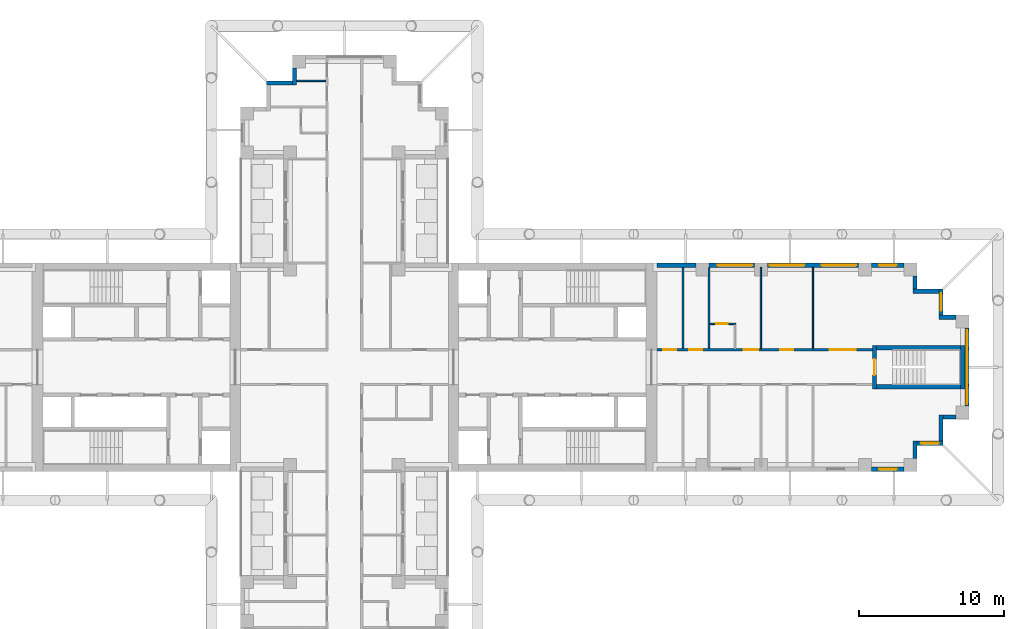
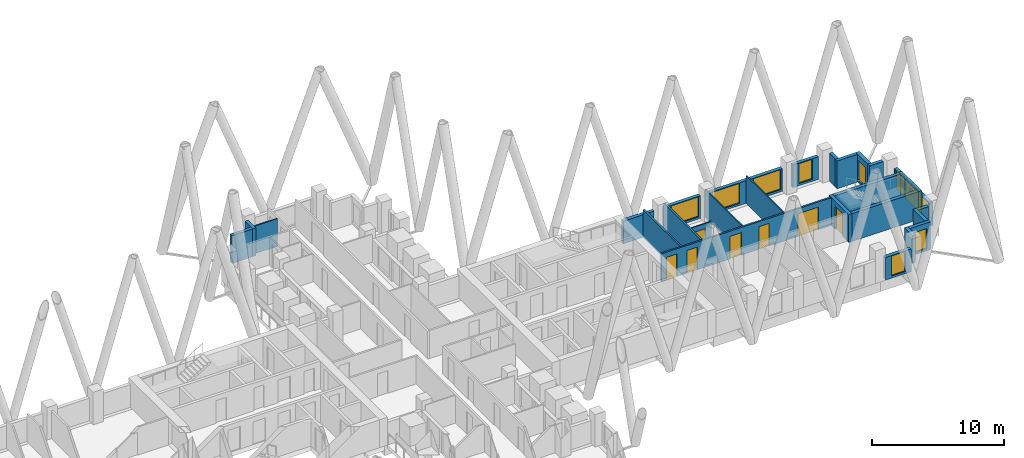
# One storey, part 10 of 14: 27 walls, 10 windows, 7 doors, 17 openings.
"""IFC4 building model written with IfcOpenShell, lengths in metres."""

from ifc_helpers import new_model, si_unit, direction, frame, frame_2d, origin, place, context, subcontext, project, spatial, rectangle, extrude, material, layer, layer_set, type_object, element, fill, save


model = new_model("IFC4")

# Units and contexts
model_context = context("Model", 3, precision=1e-05, world=origin(), true_north=direction((0.0, 1.0)))
body_context = subcontext(model_context, "Body", "Model", "MODEL_VIEW")
ifc_project = project(units=[si_unit("LENGTHUNIT", "METRE"), si_unit("AREAUNIT", "SQUARE_METRE"), si_unit("VOLUMEUNIT", "CUBIC_METRE"), si_unit("PLANEANGLEUNIT", "RADIAN"), si_unit("MASSUNIT", "GRAM", prefix="KILO")], contexts=[model_context])

# Site, building, storey
site_placement = place(None, origin())
site = spatial("IfcSite", under=ifc_project, at=site_placement, CompositionType="ELEMENT")
building_placement = place(site_placement, origin())
building = spatial("IfcBuilding", under=site, at=building_placement, Name="Fustian Cross Tower", CompositionType="ELEMENT")
storey_placement = place(building_placement, frame((0.0, 0.0, 78.89990234375)))
storey = spatial("IfcBuildingStorey", under=building, at=storey_placement, Name="L24", CompositionType="ELEMENT", Elevation=78.89990234375)

# Wall, openings, doors
ifc_material_1 = material(Name="Plasterboard on steel stud", Category="steel")
ifc_layer_1 = layer(ifc_material_1, 0.14990234375)
ifc_layer_set_1 = layer_set([ifc_layer_1], Name="Plasterboard on steel stud")
wall_type_1 = type_object("IfcWallType", Name="COMPARTMENT WALL 150 EI 60", PredefinedType="PARTITIONING", material=ifc_layer_set_1)
wall_1_placement = place(storey_placement, frame((21.60009765625, 1.199951171875, 0.0), z_axis=(0.0, 0.0, 1.0), x_axis=(1.0, 0.0, 0.0)))
wall_1 = element("IfcWall", 1, at=wall_1_placement, inside=storey, type_object=wall_type_1, Name="Partition 56", PredefinedType="PARTITIONING", context=body_context, shape_type="SweptSolid", body=[
    extrude(rectangle(XDim=14.89990234375, YDim=0.14990234375, at=frame_2d((7.449951171875, 0.0))), origin(), (0.0, 0.0, 1.0), 2.5751953125),
])
opening_1_placement = place(wall_1_placement, frame((0.449951171875, 0.0, 0.0)))
opening_1 = element("IfcOpeningElement", 2, at=opening_1_placement, cuts=wall_1, Name="Opening D12009", PredefinedType="OPENING", context=body_context, shape_type="SweptSolid", body=[
    extrude(rectangle(XDim=0.89990234375, YDim=2.10009765625, at=frame_2d((0.449951171875, 1.050048828125))), frame((0.0, 0.0849609375, 0.0), z_axis=(0.0, -1.0, 0.0), x_axis=(1.0, 0.0, 0.0)), (0.0, 0.0, 1.0), 0.169921875),
])
opening_2_placement = place(wall_1_placement, frame((2.25, 0.0, 0.0)))
opening_2 = element("IfcOpeningElement", 3, at=opening_2_placement, cuts=wall_1, Name="Opening D12010", PredefinedType="OPENING", context=body_context, shape_type="SweptSolid", body=[
    extrude(rectangle(XDim=0.89990234375, YDim=2.10009765625, at=frame_2d((0.449951171875, 1.050048828125))), frame((0.0, 0.0849609375, 0.0), z_axis=(0.0, -1.0, 0.0), x_axis=(1.0, 0.0, 0.0)), (0.0, 0.0, 1.0), 0.169921875),
])
opening_3_placement = place(wall_1_placement, frame((6.0, 0.0, 0.0)))
opening_3 = element("IfcOpeningElement", 4, at=opening_3_placement, cuts=wall_1, Name="Opening D12012", PredefinedType="OPENING", context=body_context, shape_type="SweptSolid", body=[
    extrude(rectangle(XDim=1.0, YDim=2.10009765625, at=frame_2d((0.5, 1.050048828125))), frame((0.0, 0.0849609375, 0.0), z_axis=(0.0, -1.0, 0.0), x_axis=(1.0, 0.0, 0.0)), (0.0, 0.0, 1.0), 0.169921875),
])
opening_4_placement = place(wall_1_placement, frame((8.550048828125, 0.0, 0.0)))
opening_4 = element("IfcOpeningElement", 5, at=opening_4_placement, cuts=wall_1, Name="Opening D12013", PredefinedType="OPENING", context=body_context, shape_type="SweptSolid", body=[
    extrude(rectangle(XDim=0.89990234375, YDim=2.10009765625, at=frame_2d((0.449951171875, 1.050048828125))), frame((0.0, 0.0849609375, 0.0), z_axis=(0.0, -1.0, 0.0), x_axis=(1.0, 0.0, 0.0)), (0.0, 0.0, 1.0), 0.169921875),
])
opening_5_placement = place(wall_1_placement, frame((11.949951171875, 0.0, 0.0)))
opening_5 = element("IfcOpeningElement", 6, at=opening_5_placement, cuts=wall_1, Name="Opening D12014", PredefinedType="OPENING", context=body_context, shape_type="SweptSolid", body=[
    extrude(rectangle(XDim=1.800048828125, YDim=2.10009765625, at=frame_2d((0.89990234375, 1.050048828125))), frame((0.0, 0.0849609375, 0.0), z_axis=(0.0, -1.0, 0.0), x_axis=(1.0, 0.0, 0.0)), (0.0, 0.0, 1.0), 0.169921875),
])
ifc_material_2 = material(Name="Timber fire door set", Category="wood")
door_type_1 = type_object("IfcDoorType", Name="FIRE DOUBLE DOOR 1800 FD30S", OperationType="DOUBLE_DOOR_DOUBLE_SWING", PredefinedType="DOOR", material=ifc_material_2)
door_1_placement = place(opening_5_placement, frame((1.800048828125, 0.0, 0.0), z_axis=(0.0, 0.0, 1.0), x_axis=(-1.0, 0.0, 0.0)))
door_1 = element("IfcDoor", 7, at=door_1_placement, inside=storey, type_object=door_type_1, Name="Door D12014", OperationType="DOUBLE_DOOR_DOUBLE_SWING", OverallHeight=2.10009765625, OverallWidth=1.800048828125, PredefinedType="DOOR", context=body_context, shape_type="SweptSolid", body=[
    extrude(rectangle(XDim=1.800048828125, YDim=2.10009765625, at=frame_2d((0.89990234375, 1.050048828125))), frame((0.0, 0.02490234375, 0.0), z_axis=(0.0, -1.0, 0.0), x_axis=(1.0, 0.0, 0.0)), (0.0, 0.0, 1.0), 0.050048828125),
])
fill(opening_5, door_1)
ifc_material_3 = material(Name="Timber fire door set", Category="wood")
door_type_2 = type_object("IfcDoorType", Name="FIRE SWING DOOR 1000 FD30S", OperationType="SINGLE_SWING_LEFT", PredefinedType="DOOR", material=ifc_material_3)
door_2_placement = place(opening_3_placement, origin())
door_2 = element("IfcDoor", 8, at=door_2_placement, inside=storey, type_object=door_type_2, Name="Door D12012", OperationType="SINGLE_SWING_RIGHT", OverallHeight=2.10009765625, OverallWidth=1.0, PredefinedType="DOOR", context=body_context, shape_type="SweptSolid", body=[
    extrude(rectangle(XDim=1.0, YDim=2.10009765625, at=frame_2d((0.5, 1.050048828125))), frame((0.0, 0.02490234375, 0.0), z_axis=(0.0, -1.0, 0.0), x_axis=(1.0, 0.0, 0.0)), (0.0, 0.0, 1.0), 0.050048828125),
])
fill(opening_3, door_2)
ifc_material_4 = material(Name="Timber fire door set", Category="wood")
door_type_3 = type_object("IfcDoorType", Name="FIRE SWING DOOR 900 FD30S", OperationType="SINGLE_SWING_LEFT", PredefinedType="DOOR", material=ifc_material_4)
door_3_placement = place(opening_1_placement, frame((0.89990234375, 0.0, 0.0), z_axis=(0.0, 0.0, 1.0), x_axis=(-1.0, 0.0, 0.0)))
door_3 = element("IfcDoor", 9, at=door_3_placement, inside=storey, type_object=door_type_3, Name="Door D12009", OperationType="SINGLE_SWING_RIGHT", OverallHeight=2.10009765625, OverallWidth=0.89990234375, PredefinedType="DOOR", context=body_context, shape_type="SweptSolid", body=[
    extrude(rectangle(XDim=0.89990234375, YDim=2.10009765625, at=frame_2d((0.449951171875, 1.050048828125))), frame((0.0, 0.02490234375, 0.0), z_axis=(0.0, -1.0, 0.0), x_axis=(1.0, 0.0, 0.0)), (0.0, 0.0, 1.0), 0.050048828125),
])
fill(opening_1, door_3)
door_4_placement = place(opening_2_placement, origin())
door_4 = element("IfcDoor", 10, at=door_4_placement, inside=storey, type_object=door_type_3, Name="Door D12010", OperationType="SINGLE_SWING_RIGHT", OverallHeight=2.10009765625, OverallWidth=0.89990234375, PredefinedType="DOOR", context=body_context, shape_type="SweptSolid", body=[
    extrude(rectangle(XDim=0.89990234375, YDim=2.10009765625, at=frame_2d((0.449951171875, 1.050048828125))), frame((0.0, 0.02490234375, 0.0), z_axis=(0.0, -1.0, 0.0), x_axis=(1.0, 0.0, 0.0)), (0.0, 0.0, 1.0), 0.050048828125),
])
fill(opening_2, door_4)
door_5_placement = place(opening_4_placement, origin())
door_5 = element("IfcDoor", 11, at=door_5_placement, inside=storey, type_object=door_type_3, Name="Door D12013", OperationType="SINGLE_SWING_LEFT", OverallHeight=2.10009765625, OverallWidth=0.89990234375, PredefinedType="DOOR", context=body_context, shape_type="SweptSolid", body=[
    extrude(rectangle(XDim=0.89990234375, YDim=2.10009765625, at=frame_2d((0.449951171875, 1.050048828125))), frame((0.0, 0.02490234375, 0.0), z_axis=(0.0, -1.0, 0.0), x_axis=(1.0, 0.0, 0.0)), (0.0, 0.0, 1.0), 0.050048828125),
])
fill(opening_4, door_5)

# Walls
for number, where, z_axis, x_axis, name in (
    (12, (23.39990234375, 1.27490234375, 0.0), (0.0, 0.0, 1.0), (0.0, 1.0, 0.0), "Partition 58"),
    (13, (25.199951171875, 1.27490234375, 0.0), (0.0, 0.0, 1.0), (0.0, 1.0, 0.0), "Partition 60"),
):
    element("IfcWall", number, at=place(storey_placement, frame(where, z_axis=z_axis, x_axis=x_axis)), inside=storey, type_object=wall_type_1, Name=name, PredefinedType="PARTITIONING", context=body_context, shape_type="SweptSolid", body=[
        extrude(rectangle(XDim=5.625, YDim=0.14990234375, at=frame_2d((2.8125, 0.0))), origin(), (0.0, 0.0, 1.0), 2.5751953125),
    ])
ifc_material_5 = material(Name="Plasterboard on steel stud", Category="steel")
ifc_layer_2 = layer(ifc_material_5, 0.10009765625)
ifc_layer_set_2 = layer_set([ifc_layer_2], Name="Plasterboard on steel stud")
wall_type_2 = type_object("IfcWallType", Name="PARTITION 100 STUD", PredefinedType="PARTITIONING", material=ifc_layer_set_2)
wall_2_placement = place(storey_placement, frame((-3.300048828125, 19.800048828125, 0.0), z_axis=(0.0, 0.0, 1.0), x_axis=(1.0, 0.0, 0.0)))
element("IfcWall", 14, at=wall_2_placement, inside=storey, type_object=wall_type_2, Name="Partition 30", PredefinedType="PARTITIONING", context=body_context, shape_type="SweptSolid", body=[
    extrude(rectangle(XDim=2.025146484375, YDim=0.10009765625, at=frame_2d((1.0126953125, 0.0))), origin(), (0.0, 0.0, 1.0), 2.5751953125),
])

# Wall, opening, door
wall_3_placement = place(storey_placement, frame((25.27490234375, 3.0, 0.0), z_axis=(0.0, 0.0, 1.0), x_axis=(1.0, 0.0, 0.0)))
wall_3 = element("IfcWall", 15, at=wall_3_placement, inside=storey, type_object=wall_type_2, Name="Partition 61", PredefinedType="PARTITIONING", context=body_context, shape_type="SweptSolid", body=[
    extrude(rectangle(XDim=1.775146484375, YDim=0.10009765625, at=frame_2d((0.8876953125, 0.0))), origin(), (0.0, 0.0, 1.0), 2.5751953125),
])
opening_6_placement = place(wall_3_placement, frame((0.425048828125, 0.0, 0.0)))
opening_6 = element("IfcOpeningElement", 16, at=opening_6_placement, cuts=wall_3, Name="Opening D12011", PredefinedType="OPENING", context=body_context, shape_type="SweptSolid", body=[
    extrude(rectangle(XDim=0.800048828125, YDim=2.10009765625, at=frame_2d((0.39990234375, 1.050048828125))), frame((0.0, 0.06005859375, 0.0), z_axis=(0.0, -1.0, 0.0), x_axis=(1.0, 0.0, 0.0)), (0.0, 0.0, 1.0), 0.1201171875),
])
ifc_material_6 = material(Name="Painted timber", Category="wood")
door_type_4 = type_object("IfcDoorType", Name="SWING DOOR 800", OperationType="SINGLE_SWING_LEFT", PredefinedType="DOOR", material=ifc_material_6)
door_6_placement = place(opening_6_placement, frame((0.800048828125, 0.0, 0.0), z_axis=(0.0, 0.0, 1.0), x_axis=(-1.0, 0.0, 0.0)))
door_6 = element("IfcDoor", 17, at=door_6_placement, inside=storey, type_object=door_type_4, Name="Door D12011", OperationType="SINGLE_SWING_LEFT", OverallHeight=2.10009765625, OverallWidth=0.800048828125, PredefinedType="DOOR", context=body_context, shape_type="SweptSolid", body=[
    extrude(rectangle(XDim=0.800048828125, YDim=2.10009765625, at=frame_2d((0.39990234375, 1.050048828125))), frame((0.0, 0.02490234375, 0.0), z_axis=(0.0, -1.0, 0.0), x_axis=(1.0, 0.0, 0.0)), (0.0, 0.0, 1.0), 0.050048828125),
])
fill(opening_6, door_6)

# Walls
for number, where, z_axis, x_axis, name in (
    (18, (28.800048828125, 1.27490234375, 0.0), (0.0, 0.0, 1.0), (0.0, 1.0, 0.0), "Partition 64"),
    (19, (32.39990234375, 1.27490234375, 0.0), (0.0, 0.0, 1.0), (0.0, 1.0, 0.0), "Partition 67"),
):
    element("IfcWall", number, at=place(storey_placement, frame(where, z_axis=z_axis, x_axis=x_axis)), inside=storey, type_object=wall_type_2, Name=name, PredefinedType="PARTITIONING", context=body_context, shape_type="SweptSolid", body=[
        extrude(rectangle(XDim=5.625, YDim=0.10009765625, at=frame_2d((2.8125, 0.0))), origin(), (0.0, 0.0, 1.0), 2.5751953125),
    ])

# Wall, opening, door
ifc_material_7 = material(Name="Concrete C50/60", Category="concrete")
ifc_layer_3 = layer(ifc_material_7, 0.300048828125)
ifc_layer_set_3 = layer_set([ifc_layer_3], Name="Concrete C50/60")
wall_type_3 = type_object("IfcWallType", Name="STAIR ENCLOSURE WALL 300 C50/60", PredefinedType="SHEAR", material=ifc_layer_set_3)
wall_4_placement = place(storey_placement, frame((36.64990234375, -1.5, 0.0), z_axis=(0.0, 0.0, 1.0), x_axis=(0.0, 1.0, 0.0)))
wall_4 = element("IfcWall", 20, at=wall_4_placement, inside=storey, type_object=wall_type_3, Name="Stair enclosure wall", PredefinedType="SHEAR", context=body_context, shape_type="SweptSolid", body=[
    extrude(rectangle(XDim=3.0, YDim=0.300048828125, at=frame_2d((1.5, 0.0))), origin(), (0.0, 0.0, 1.0), 2.5751953125),
])
opening_7_placement = place(wall_4_placement, frame((0.949951171875, 0.0, 0.0)))
opening_7 = element("IfcOpeningElement", 21, at=opening_7_placement, cuts=wall_4, Name="Opening CD-10-32", PredefinedType="OPENING", context=body_context, shape_type="SweptSolid", body=[
    extrude(rectangle(XDim=1.10009765625, YDim=2.10009765625, at=frame_2d((0.550048828125, 1.050048828125))), frame((0.0, 0.159912109375, 0.0), z_axis=(0.0, -1.0, 0.0), x_axis=(1.0, 0.0, 0.0)), (0.0, 0.0, 1.0), 0.320068359375),
])
ifc_material_8 = material(Name="Steel", Category="steel")
door_type_5 = type_object("IfcDoorType", Name="FIRE DOOR FD60S 1100X2100", OperationType="SINGLE_SWING_LEFT", PredefinedType="DOOR", material=ifc_material_8)
door_7_placement = place(opening_7_placement, frame((1.10009765625, 0.0, 0.0), z_axis=(0.0, 0.0, 1.0), x_axis=(-1.0, 0.0, 0.0)))
door_7 = element("IfcDoor", 22, at=door_7_placement, inside=storey, type_object=door_type_5, Name="Core door CD-10-32", OperationType="SINGLE_SWING_RIGHT", OverallHeight=2.10009765625, OverallWidth=1.10009765625, PredefinedType="DOOR", context=body_context, shape_type="SweptSolid", body=[
    extrude(rectangle(XDim=1.10009765625, YDim=2.10009765625, at=frame_2d((0.550048828125, 1.050048828125))), frame((0.0, 0.02490234375, 0.0), z_axis=(0.0, -1.0, 0.0), x_axis=(1.0, 0.0, 0.0)), (0.0, 0.0, 1.0), 0.050048828125),
])
fill(opening_7, door_7)

# Walls
wall_5_placement = place(storey_placement, frame((42.75, -1.5, 0.0), z_axis=(0.0, 0.0, 1.0), x_axis=(0.0, 1.0, 0.0)))
element("IfcWall", 23, at=wall_5_placement, inside=storey, type_object=wall_type_3, Name="Stair enclosure wall", PredefinedType="SHEAR", context=body_context, shape_type="SweptSolid", body=[
    extrude(rectangle(XDim=3.0, YDim=0.300048828125, at=frame_2d((1.5, 0.0))), origin(), (0.0, 0.0, 1.0), 2.5751953125),
])
for number, where, z_axis, x_axis, name in (
    (24, (36.800048828125, -1.35009765625, 0.0), (0.0, 0.0, 1.0), (1.0, 0.0, 0.0), "Stair enclosure wall"),
    (25, (36.800048828125, 1.35009765625, 0.0), (0.0, 0.0, 1.0), (1.0, 0.0, 0.0), "Stair enclosure wall"),
):
    element("IfcWall", number, at=place(storey_placement, frame(where, z_axis=z_axis, x_axis=x_axis)), inside=storey, type_object=wall_type_3, Name=name, PredefinedType="SHEAR", context=body_context, shape_type="SweptSolid", body=[
        extrude(rectangle(XDim=5.800048828125, YDim=0.300048828125, at=frame_2d((2.89990234375, 0.0))), origin(), (0.0, 0.0, 1.0), 2.5751953125),
    ])

# Wall, opening, window
ifc_material_9 = material(Name="Dark aluminium cladding on insulated backing wall", Category="aluminium")
ifc_layer_4 = layer(ifc_material_9, 0.300048828125)
ifc_layer_set_4 = layer_set([ifc_layer_4], Name="Dark aluminium cladding on insulated backing wall")
wall_type_4 = type_object("IfcWallType", Name="XW1 EXTERNAL WALL 300", PredefinedType="SOLIDWALL", material=ifc_layer_set_4)
wall_6_placement = place(storey_placement, frame((36.449951171875, -7.050048828125, 0.0), z_axis=(0.0, 0.0, 1.0), x_axis=(1.0, 0.0, 0.0)))
wall_6 = element("IfcWall", 26, at=wall_6_placement, inside=storey, type_object=wall_type_4, Name="External wall", PredefinedType="SOLIDWALL", context=body_context, shape_type="SweptSolid", body=[
    extrude(rectangle(XDim=2.25, YDim=0.300048828125, at=frame_2d((1.125, 0.0))), origin(), (0.0, 0.0, 1.0), 2.10009765625),
])
opening_8_placement = place(wall_6_placement, frame((0.52490234375, 0.0, 0.199951171875)))
opening_8 = element("IfcOpeningElement", 27, at=opening_8_placement, cuts=wall_6, Name="Opening WN3", PredefinedType="OPENING", context=body_context, shape_type="SweptSolid", body=[
    extrude(rectangle(XDim=1.199951171875, YDim=1.85009765625, at=frame_2d((0.60009765625, 0.925048828125))), frame((0.0, 0.159912109375, 0.0), z_axis=(0.0, -1.0, 0.0), x_axis=(1.0, 0.0, 0.0)), (0.0, 0.0, 1.0), 0.320068359375),
])
ifc_material_10 = material(Name="Dark anodised aluminium and double glazing", Category="aluminium")
window_type_1 = type_object("IfcWindowType", Name="WN3 WINDOW 1200X1850", PartitioningType="SINGLE_PANEL", PredefinedType="WINDOW", material=ifc_material_10)
window_1_placement = place(opening_8_placement, origin())
window_1 = element("IfcWindow", 28, at=window_1_placement, inside=storey, type_object=window_type_1, Name="Window", OverallHeight=1.85009765625, OverallWidth=1.199951171875, PartitioningType="SINGLE_PANEL", PredefinedType="WINDOW", context=body_context, shape_type="SweptSolid", body=[
    extrude(rectangle(XDim=1.199951171875, YDim=1.85009765625, at=frame_2d((0.60009765625, 0.925048828125))), frame((0.0, 0.030029296875, 0.0), z_axis=(0.0, -1.0, 0.0), x_axis=(1.0, 0.0, 0.0)), (0.0, 0.0, 1.0), 0.06005859375),
])
fill(opening_8, window_1)

# Wall
wall_7_placement = place(storey_placement, frame((39.449951171875, -6.300048828125, 0.0), z_axis=(0.0, 0.0, 1.0), x_axis=(0.0, 1.0, 0.0)))
element("IfcWall", 29, at=wall_7_placement, inside=storey, type_object=wall_type_4, Name="External wall", PredefinedType="SOLIDWALL", context=body_context, shape_type="SweptSolid", body=[
    extrude(rectangle(XDim=1.199951171875, YDim=0.300048828125, at=frame_2d((0.60009765625, 0.0))), origin(), (0.0, 0.0, 1.0), 2.5751953125),
])

# Wall, opening, window
wall_8_placement = place(storey_placement, frame((39.60009765625, -5.25, 0.0), z_axis=(0.0, 0.0, 1.0), x_axis=(1.0, 0.0, 0.0)))
wall_8 = element("IfcWall", 30, at=wall_8_placement, inside=storey, type_object=wall_type_4, Name="External wall", PredefinedType="SOLIDWALL", context=body_context, shape_type="SweptSolid", body=[
    extrude(rectangle(XDim=1.7998046875, YDim=0.300048828125, at=frame_2d((0.89990234375, 0.0))), origin(), (0.0, 0.0, 1.0), 2.5751953125),
])
opening_9_placement = place(wall_8_placement, frame((0.300048828125, 0.0, 0.199951171875)))
opening_9 = element("IfcOpeningElement", 31, at=opening_9_placement, cuts=wall_8, Name="Opening WN3", PredefinedType="OPENING", context=body_context, shape_type="SweptSolid", body=[
    extrude(rectangle(XDim=1.199951171875, YDim=1.85009765625, at=frame_2d((0.60009765625, 0.925048828125))), frame((0.0, 0.159912109375, 0.0), z_axis=(0.0, -1.0, 0.0), x_axis=(1.0, 0.0, 0.0)), (0.0, 0.0, 1.0), 0.320068359375),
])
window_2_placement = place(opening_9_placement, origin())
window_2 = element("IfcWindow", 32, at=window_2_placement, inside=storey, type_object=window_type_1, Name="Window", OverallHeight=1.85009765625, OverallWidth=1.199951171875, PartitioningType="SINGLE_PANEL", PredefinedType="WINDOW", context=body_context, shape_type="SweptSolid", body=[
    extrude(rectangle(XDim=1.199951171875, YDim=1.85009765625, at=frame_2d((0.60009765625, 0.925048828125))), frame((0.0, 0.030029296875, 0.0), z_axis=(0.0, -1.0, 0.0), x_axis=(1.0, 0.0, 0.0)), (0.0, 0.0, 1.0), 0.06005859375),
])
fill(opening_9, window_2)

# Walls
wall_9_placement = place(storey_placement, frame((41.25, -5.10009765625, 0.0), z_axis=(0.0, 0.0, 1.0), x_axis=(0.0, 1.0, 0.0)))
element("IfcWall", 33, at=wall_9_placement, inside=storey, type_object=wall_type_4, Name="External wall", PredefinedType="SOLIDWALL", context=body_context, shape_type="SweptSolid", body=[
    extrude(rectangle(XDim=1.800048828125, YDim=0.300048828125, at=frame_2d((0.89990234375, 0.0))), origin(), (0.0, 0.0, 1.0), 2.5751953125),
])
wall_10_placement = place(storey_placement, frame((41.39990234375, -3.449951171875, 0.0), z_axis=(0.0, 0.0, 1.0), x_axis=(1.0, 0.0, 0.0)))
element("IfcWall", 34, at=wall_10_placement, inside=storey, type_object=wall_type_4, Name="External wall", PredefinedType="SOLIDWALL", context=body_context, shape_type="SweptSolid", body=[
    extrude(rectangle(XDim=0.900146484375, YDim=0.300048828125, at=frame_2d((0.4501953125, 0.0))), origin(), (0.0, 0.0, 1.0), 2.5751953125),
])

# Wall, openings, windows
wall_11_placement = place(storey_placement, frame((43.050048828125, -2.699951171875, 0.0), z_axis=(0.0, 0.0, 1.0), x_axis=(0.0, 1.0, 0.0)))
wall_11 = element("IfcWall", 35, at=wall_11_placement, inside=storey, type_object=wall_type_4, Name="External wall", PredefinedType="SOLIDWALL", context=body_context, shape_type="SweptSolid", body=[
    extrude(rectangle(XDim=5.39990234375, YDim=0.300048828125, at=frame_2d((2.699951171875, 0.0))), origin(), (0.0, 0.0, 1.0), 2.10009765625),
])
opening_10_placement = place(wall_11_placement, frame((1.5, 0.0, 0.199951171875)))
opening_10 = element("IfcOpeningElement", 36, at=opening_10_placement, cuts=wall_11, Name="Opening WN1", PredefinedType="OPENING", context=body_context, shape_type="SweptSolid", body=[
    extrude(rectangle(XDim=2.39990234375, YDim=1.85009765625, at=frame_2d((1.199951171875, 0.925048828125))), frame((0.0, 0.159912109375, 0.0), z_axis=(0.0, -1.0, 0.0), x_axis=(1.0, 0.0, 0.0)), (0.0, 0.0, 1.0), 0.320068359375),
])
opening_11_placement = place(wall_11_placement, frame((0.14990234375, 0.0, 0.199951171875)))
opening_11 = element("IfcOpeningElement", 37, at=opening_11_placement, cuts=wall_11, Name="Opening WN3", PredefinedType="OPENING", context=body_context, shape_type="SweptSolid", body=[
    extrude(rectangle(XDim=1.199951171875, YDim=1.85009765625, at=frame_2d((0.60009765625, 0.925048828125))), frame((0.0, 0.159912109375, 0.0), z_axis=(0.0, -1.0, 0.0), x_axis=(1.0, 0.0, 0.0)), (0.0, 0.0, 1.0), 0.320068359375),
])
opening_12_placement = place(wall_11_placement, frame((4.050048828125, 0.0, 0.199951171875)))
opening_12 = element("IfcOpeningElement", 38, at=opening_12_placement, cuts=wall_11, Name="Opening WN3", PredefinedType="OPENING", context=body_context, shape_type="SweptSolid", body=[
    extrude(rectangle(XDim=1.199951171875, YDim=1.85009765625, at=frame_2d((0.60009765625, 0.925048828125))), frame((0.0, 0.159912109375, 0.0), z_axis=(0.0, -1.0, 0.0), x_axis=(1.0, 0.0, 0.0)), (0.0, 0.0, 1.0), 0.320068359375),
])
ifc_material_11 = material(Name="Dark anodised aluminium and double glazing", Category="aluminium")
window_type_2 = type_object("IfcWindowType", Name="WN1 WINDOW 2400X1850", PartitioningType="SINGLE_PANEL", PredefinedType="WINDOW", material=ifc_material_11)
window_3_placement = place(opening_10_placement, origin())
window_3 = element("IfcWindow", 39, at=window_3_placement, inside=storey, type_object=window_type_2, Name="Window", OverallHeight=1.85009765625, OverallWidth=2.39990234375, PartitioningType="SINGLE_PANEL", PredefinedType="WINDOW", context=body_context, shape_type="SweptSolid", body=[
    extrude(rectangle(XDim=2.39990234375, YDim=1.85009765625, at=frame_2d((1.199951171875, 0.925048828125))), frame((0.0, 0.030029296875, 0.0), z_axis=(0.0, -1.0, 0.0), x_axis=(1.0, 0.0, 0.0)), (0.0, 0.0, 1.0), 0.06005859375),
])
fill(opening_10, window_3)
window_4_placement = place(opening_11_placement, origin())
window_4 = element("IfcWindow", 40, at=window_4_placement, inside=storey, type_object=window_type_1, Name="Window", OverallHeight=1.85009765625, OverallWidth=1.199951171875, PartitioningType="SINGLE_PANEL", PredefinedType="WINDOW", context=body_context, shape_type="SweptSolid", body=[
    extrude(rectangle(XDim=1.199951171875, YDim=1.85009765625, at=frame_2d((0.60009765625, 0.925048828125))), frame((0.0, 0.030029296875, 0.0), z_axis=(0.0, -1.0, 0.0), x_axis=(1.0, 0.0, 0.0)), (0.0, 0.0, 1.0), 0.06005859375),
])
fill(opening_11, window_4)
window_5_placement = place(opening_12_placement, origin())
window_5 = element("IfcWindow", 41, at=window_5_placement, inside=storey, type_object=window_type_1, Name="Window", OverallHeight=1.85009765625, OverallWidth=1.199951171875, PartitioningType="SINGLE_PANEL", PredefinedType="WINDOW", context=body_context, shape_type="SweptSolid", body=[
    extrude(rectangle(XDim=1.199951171875, YDim=1.85009765625, at=frame_2d((0.60009765625, 0.925048828125))), frame((0.0, 0.030029296875, 0.0), z_axis=(0.0, -1.0, 0.0), x_axis=(1.0, 0.0, 0.0)), (0.0, 0.0, 1.0), 0.06005859375),
])
fill(opening_12, window_5)

# Wall
wall_12_placement = place(storey_placement, frame((42.300048828125, 3.449951171875, 0.0), z_axis=(0.0, 0.0, 1.0), x_axis=(-1.0, 0.0, 0.0)))
element("IfcWall", 42, at=wall_12_placement, inside=storey, type_object=wall_type_4, Name="External wall", PredefinedType="SOLIDWALL", context=body_context, shape_type="SweptSolid", body=[
    extrude(rectangle(XDim=1.199951171875, YDim=0.300048828125, at=frame_2d((0.60009765625, 0.0))), origin(), (0.0, 0.0, 1.0), 2.5751953125),
])

# Wall, opening, window
wall_13_placement = place(storey_placement, frame((41.25, 3.60009765625, 0.0), z_axis=(0.0, 0.0, 1.0), x_axis=(0.0, 1.0, 0.0)))
wall_13 = element("IfcWall", 43, at=wall_13_placement, inside=storey, type_object=wall_type_4, Name="External wall", PredefinedType="SOLIDWALL", context=body_context, shape_type="SweptSolid", body=[
    extrude(rectangle(XDim=1.7998046875, YDim=0.300048828125, at=frame_2d((0.89990234375, 0.0))), origin(), (0.0, 0.0, 1.0), 2.5751953125),
])
opening_13_placement = place(wall_13_placement, frame((0.300048828125, 0.0, 0.199951171875)))
opening_13 = element("IfcOpeningElement", 44, at=opening_13_placement, cuts=wall_13, Name="Opening WN3", PredefinedType="OPENING", context=body_context, shape_type="SweptSolid", body=[
    extrude(rectangle(XDim=1.199951171875, YDim=1.85009765625, at=frame_2d((0.60009765625, 0.925048828125))), frame((0.0, 0.159912109375, 0.0), z_axis=(0.0, -1.0, 0.0), x_axis=(1.0, 0.0, 0.0)), (0.0, 0.0, 1.0), 0.320068359375),
])
window_6_placement = place(opening_13_placement, origin())
window_6 = element("IfcWindow", 45, at=window_6_placement, inside=storey, type_object=window_type_1, Name="Window", OverallHeight=1.85009765625, OverallWidth=1.199951171875, PartitioningType="SINGLE_PANEL", PredefinedType="WINDOW", context=body_context, shape_type="SweptSolid", body=[
    extrude(rectangle(XDim=1.199951171875, YDim=1.85009765625, at=frame_2d((0.60009765625, 0.925048828125))), frame((0.0, 0.030029296875, 0.0), z_axis=(0.0, -1.0, 0.0), x_axis=(1.0, 0.0, 0.0)), (0.0, 0.0, 1.0), 0.06005859375),
])
fill(opening_13, window_6)

# Walls
wall_14_placement = place(storey_placement, frame((41.10009765625, 5.25, 0.0), z_axis=(0.0, 0.0, 1.0), x_axis=(-1.0, 0.0, 0.0)))
element("IfcWall", 46, at=wall_14_placement, inside=storey, type_object=wall_type_4, Name="External wall", PredefinedType="SOLIDWALL", context=body_context, shape_type="SweptSolid", body=[
    extrude(rectangle(XDim=1.800048828125, YDim=0.300048828125, at=frame_2d((0.89990234375, 0.0))), origin(), (0.0, 0.0, 1.0), 2.5751953125),
])
wall_15_placement = place(storey_placement, frame((39.449951171875, 5.39990234375, 0.0), z_axis=(0.0, 0.0, 1.0), x_axis=(0.0, 1.0, 0.0)))
element("IfcWall", 47, at=wall_15_placement, inside=storey, type_object=wall_type_4, Name="External wall", PredefinedType="SOLIDWALL", context=body_context, shape_type="SweptSolid", body=[
    extrude(rectangle(XDim=0.900146484375, YDim=0.300048828125, at=frame_2d((0.4501953125, 0.0))), origin(), (0.0, 0.0, 1.0), 2.5751953125),
])

# Wall, opening, window
wall_16_placement = place(storey_placement, frame((38.699951171875, 7.050048828125, 0.0), z_axis=(0.0, 0.0, 1.0), x_axis=(-1.0, 0.0, 0.0)))
wall_16 = element("IfcWall", 48, at=wall_16_placement, inside=storey, type_object=wall_type_4, Name="External wall", PredefinedType="SOLIDWALL", context=body_context, shape_type="SweptSolid", body=[
    extrude(rectangle(XDim=2.25, YDim=0.300048828125, at=frame_2d((1.125, 0.0))), origin(), (0.0, 0.0, 1.0), 2.10009765625),
])
opening_14_placement = place(wall_16_placement, frame((0.52490234375, 0.0, 0.199951171875)))
opening_14 = element("IfcOpeningElement", 49, at=opening_14_placement, cuts=wall_16, Name="Opening WN3", PredefinedType="OPENING", context=body_context, shape_type="SweptSolid", body=[
    extrude(rectangle(XDim=1.199951171875, YDim=1.85009765625, at=frame_2d((0.60009765625, 0.925048828125))), frame((0.0, 0.159912109375, 0.0), z_axis=(0.0, -1.0, 0.0), x_axis=(1.0, 0.0, 0.0)), (0.0, 0.0, 1.0), 0.320068359375),
])
window_7_placement = place(opening_14_placement, origin())
window_7 = element("IfcWindow", 50, at=window_7_placement, inside=storey, type_object=window_type_1, Name="Window", OverallHeight=1.85009765625, OverallWidth=1.199951171875, PartitioningType="SINGLE_PANEL", PredefinedType="WINDOW", context=body_context, shape_type="SweptSolid", body=[
    extrude(rectangle(XDim=1.199951171875, YDim=1.85009765625, at=frame_2d((0.60009765625, 0.925048828125))), frame((0.0, 0.030029296875, 0.0), z_axis=(0.0, -1.0, 0.0), x_axis=(1.0, 0.0, 0.0)), (0.0, 0.0, 1.0), 0.06005859375),
])
fill(opening_14, window_7)

# Wall, openings, windows
wall_17_placement = place(storey_placement, frame((35.550048828125, 7.050048828125, 0.0), z_axis=(0.0, 0.0, 1.0), x_axis=(-1.0, 0.0, 0.0)))
wall_17 = element("IfcWall", 51, at=wall_17_placement, inside=storey, type_object=wall_type_4, Name="External wall", PredefinedType="SOLIDWALL", context=body_context, shape_type="SweptSolid", body=[
    extrude(rectangle(XDim=6.300048828125, YDim=0.300048828125, at=frame_2d((3.14990234375, 0.0))), origin(), (0.0, 0.0, 1.0), 2.10009765625),
])
opening_15_placement = place(wall_17_placement, frame((0.14990234375, 0.0, 0.199951171875)))
opening_15 = element("IfcOpeningElement", 52, at=opening_15_placement, cuts=wall_17, Name="Opening WN1", PredefinedType="OPENING", context=body_context, shape_type="SweptSolid", body=[
    extrude(rectangle(XDim=2.39990234375, YDim=1.85009765625, at=frame_2d((1.199951171875, 0.925048828125))), frame((0.0, 0.159912109375, 0.0), z_axis=(0.0, -1.0, 0.0), x_axis=(1.0, 0.0, 0.0)), (0.0, 0.0, 1.0), 0.320068359375),
])
opening_16_placement = place(wall_17_placement, frame((3.75, 0.0, 0.199951171875)))
opening_16 = element("IfcOpeningElement", 53, at=opening_16_placement, cuts=wall_17, Name="Opening WN1", PredefinedType="OPENING", context=body_context, shape_type="SweptSolid", body=[
    extrude(rectangle(XDim=2.39990234375, YDim=1.85009765625, at=frame_2d((1.199951171875, 0.925048828125))), frame((0.0, 0.159912109375, 0.0), z_axis=(0.0, -1.0, 0.0), x_axis=(1.0, 0.0, 0.0)), (0.0, 0.0, 1.0), 0.320068359375),
])
window_8_placement = place(opening_15_placement, origin())
window_8 = element("IfcWindow", 54, at=window_8_placement, inside=storey, type_object=window_type_2, Name="Window", OverallHeight=1.85009765625, OverallWidth=2.39990234375, PartitioningType="SINGLE_PANEL", PredefinedType="WINDOW", context=body_context, shape_type="SweptSolid", body=[
    extrude(rectangle(XDim=2.39990234375, YDim=1.85009765625, at=frame_2d((1.199951171875, 0.925048828125))), frame((0.0, 0.030029296875, 0.0), z_axis=(0.0, -1.0, 0.0), x_axis=(1.0, 0.0, 0.0)), (0.0, 0.0, 1.0), 0.06005859375),
])
fill(opening_15, window_8)
window_9_placement = place(opening_16_placement, origin())
window_9 = element("IfcWindow", 55, at=window_9_placement, inside=storey, type_object=window_type_2, Name="Window", OverallHeight=1.85009765625, OverallWidth=2.39990234375, PartitioningType="SINGLE_PANEL", PredefinedType="WINDOW", context=body_context, shape_type="SweptSolid", body=[
    extrude(rectangle(XDim=2.39990234375, YDim=1.85009765625, at=frame_2d((1.199951171875, 0.925048828125))), frame((0.0, 0.030029296875, 0.0), z_axis=(0.0, -1.0, 0.0), x_axis=(1.0, 0.0, 0.0)), (0.0, 0.0, 1.0), 0.06005859375),
])
fill(opening_16, window_9)

# Wall, opening, window
wall_18_placement = place(storey_placement, frame((28.35009765625, 7.050048828125, 0.0), z_axis=(0.0, 0.0, 1.0), x_axis=(-1.0, 0.0, 0.0)))
wall_18 = element("IfcWall", 56, at=wall_18_placement, inside=storey, type_object=wall_type_4, Name="External wall", PredefinedType="SOLIDWALL", context=body_context, shape_type="SweptSolid", body=[
    extrude(rectangle(XDim=3.150146484375, YDim=0.300048828125, at=frame_2d((1.5751953125, 0.0))), origin(), (0.0, 0.0, 1.0), 2.10009765625),
])
opening_17_placement = place(wall_18_placement, frame((0.14990234375, 0.0, 0.199951171875)))
opening_17 = element("IfcOpeningElement", 57, at=opening_17_placement, cuts=wall_18, Name="Opening WN1", PredefinedType="OPENING", context=body_context, shape_type="SweptSolid", body=[
    extrude(rectangle(XDim=2.39990234375, YDim=1.85009765625, at=frame_2d((1.199951171875, 0.925048828125))), frame((0.0, 0.159912109375, 0.0), z_axis=(0.0, -1.0, 0.0), x_axis=(1.0, 0.0, 0.0)), (0.0, 0.0, 1.0), 0.320068359375),
])
window_10_placement = place(opening_17_placement, origin())
window_10 = element("IfcWindow", 58, at=window_10_placement, inside=storey, type_object=window_type_2, Name="Window", OverallHeight=1.85009765625, OverallWidth=2.39990234375, PartitioningType="SINGLE_PANEL", PredefinedType="WINDOW", context=body_context, shape_type="SweptSolid", body=[
    extrude(rectangle(XDim=2.39990234375, YDim=1.85009765625, at=frame_2d((1.199951171875, 0.925048828125))), frame((0.0, 0.030029296875, 0.0), z_axis=(0.0, -1.0, 0.0), x_axis=(1.0, 0.0, 0.0)), (0.0, 0.0, 1.0), 0.06005859375),
])
fill(opening_17, window_10)

# Walls
wall_19_placement = place(storey_placement, frame((24.300048828125, 7.050048828125, 0.0), z_axis=(0.0, 0.0, 1.0), x_axis=(-1.0, 0.0, 0.0)))
element("IfcWall", 59, at=wall_19_placement, inside=storey, type_object=wall_type_4, Name="External wall", PredefinedType="SOLIDWALL", context=body_context, shape_type="SweptSolid", body=[
    extrude(rectangle(XDim=2.699951171875, YDim=0.300048828125, at=frame_2d((1.35009765625, 0.0))), origin(), (0.0, 0.0, 1.0), 2.10009765625),
])
wall_20_placement = place(storey_placement, frame((-3.449951171875, 20.699951171875, 0.0), z_axis=(0.0, 0.0, 1.0), x_axis=(0.0, -1.0, 0.0)))
element("IfcWall", 60, at=wall_20_placement, inside=storey, type_object=wall_type_4, Name="External wall", PredefinedType="SOLIDWALL", context=body_context, shape_type="SweptSolid", body=[
    extrude(rectangle(XDim=1.199951171875, YDim=0.300048828125, at=frame_2d((0.60009765625, 0.0))), origin(), (0.0, 0.0, 1.0), 2.5751953125),
])
wall_21_placement = place(storey_placement, frame((-3.60009765625, 19.64990234375, 0.0), z_axis=(0.0, 0.0, 1.0), x_axis=(-1.0, 0.0, 0.0)))
element("IfcWall", 61, at=wall_21_placement, inside=storey, type_object=wall_type_4, Name="External wall", PredefinedType="SOLIDWALL", context=body_context, shape_type="SweptSolid", body=[
    extrude(rectangle(XDim=1.7998046875, YDim=0.300048828125, at=frame_2d((0.89990234375, 0.0))), origin(), (0.0, 0.0, 1.0), 2.5751953125),
])

save(model, "model.ifc")
